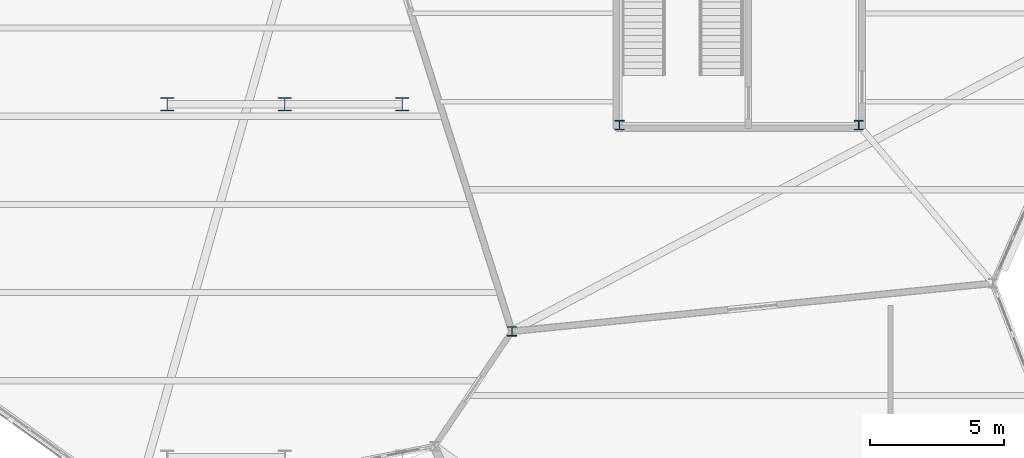
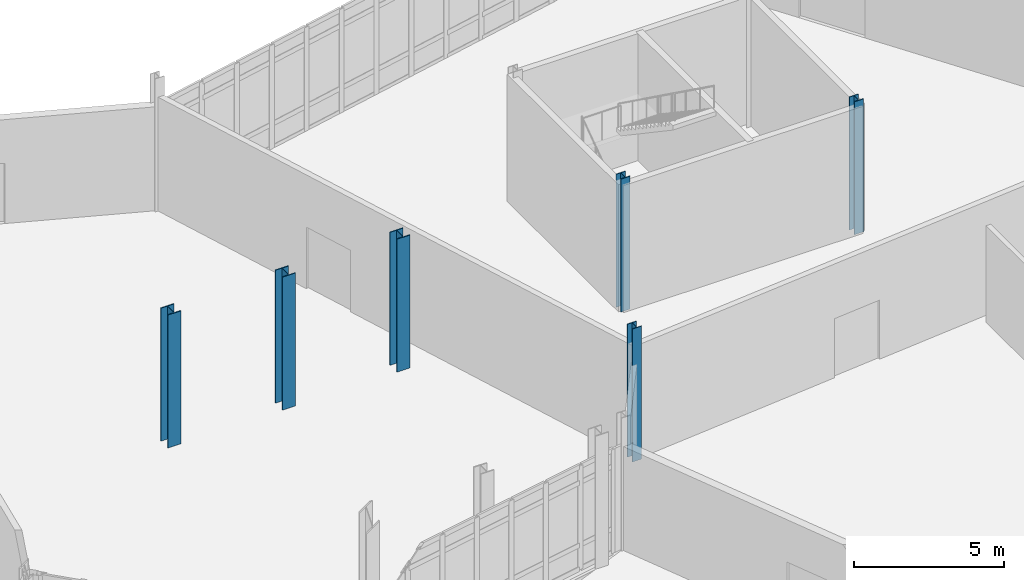
# One storey, part 18 of 113: 6 columns.
"""IFC4 building model written with IfcOpenShell, lengths in metres."""

from ifc_helpers import new_model, si_unit, direction, frame, origin, origin_2d, place, context, subcontext, project, spatial, i_section, extrude, material, material_profile, profile_set, type_object, element, save


model = new_model("IFC4")

# Units and contexts
model_context = context("Model", 3, precision=1e-05, world=origin(), true_north=direction((0.0, 1.0)))
body_context = subcontext(model_context, "Body", "Model", "MODEL_VIEW")
ifc_project = project(units=[si_unit("LENGTHUNIT", "METRE"), si_unit("AREAUNIT", "SQUARE_METRE"), si_unit("VOLUMEUNIT", "CUBIC_METRE"), si_unit("PLANEANGLEUNIT", "RADIAN"), si_unit("MASSUNIT", "GRAM", prefix="KILO")], contexts=[model_context])

# Site, building, storey
site_placement = place(None, origin())
site = spatial("IfcSite", under=ifc_project, at=site_placement, CompositionType="ELEMENT")
building_placement = place(site_placement, origin())
building = spatial("IfcBuilding", under=site, at=building_placement, Name="Tameran Prism Museum", CompositionType="ELEMENT")
storey_placement = place(building_placement, origin())
storey = spatial("IfcBuildingStorey", under=building, at=storey_placement, Name="L00", CompositionType="ELEMENT", Elevation=0.0)

# Columns
ifc_material_1 = material(Name="Steel Grade 350 (350 MPa)", Category="steel")
ifc_material_profile_1 = material_profile(ifc_material_1, i_section(OverallWidth=0.35009765625, OverallDepth=0.35009765625, WebThickness=0.02001953125, FlangeThickness=0.028076171875, at=origin_2d()))
ifc_profile_set_1 = profile_set([ifc_material_profile_1])
column_type_1 = type_object("IfcColumnType", Name="COL-WC350", PredefinedType="COLUMN", material=ifc_profile_set_1)
for number, where, z_axis, x_axis, name in (
    (1, (144.0, 22.199951171875, 0.0), (0.0, 0.0, 1.0), (1.0, 0.0, 0.0), "Column CV-61 L00"),
    (2, (148.02001953125, 29.919921875, 0.0), (0.0, 0.0, 1.0), (1.0, 0.0, 0.0), "Column CC-13-1 L00"),
    (3, (156.97998046875, 29.919921875, 0.0), (0.0, 0.0, 1.0), (1.0, 0.0, 0.0), "Column CC-13-2 L00"),
):
    element("IfcColumn", number, at=place(storey_placement, frame(where, z_axis=z_axis, x_axis=x_axis)), inside=storey, type_object=column_type_1, Name=name, PredefinedType="COLUMN", context=body_context, shape_type="SweptSolid", body=[
        extrude(i_section(OverallWidth=0.35009765625, OverallDepth=0.35009765625, WebThickness=0.02001953125, FlangeThickness=0.028076171875, at=origin_2d()), origin(), (0.0, 0.0, 1.0), 5.39990234375),
    ])
ifc_material_2 = material(Name="Steel Grade 350 (350 MPa)", Category="steel")
ifc_material_profile_2 = material_profile(ifc_material_2, i_section(OverallWidth=0.5, OverallDepth=0.5, WebThickness=0.02197265625, FlangeThickness=0.035888671875, at=origin_2d()))
ifc_profile_set_2 = profile_set([ifc_material_profile_2])
column_type_2 = type_object("IfcColumnType", Name="COL-WC500", PredefinedType="COLUMN", material=ifc_profile_set_2)
for number, where, z_axis, x_axis, name in (
    (4, (131.10009765625, 30.699951171875, 0.0), (0.0, 0.0, 1.0), (1.0, 0.0, 0.0), "Column CT-1A L00"),
    (5, (135.5, 30.699951171875, 0.0), (0.0, 0.0, 1.0), (1.0, 0.0, 0.0), "Column CT-2A L00"),
    (6, (139.89990234375, 30.699951171875, 0.0), (0.0, 0.0, 1.0), (1.0, 0.0, 0.0), "Column CT-3A L00"),
):
    element("IfcColumn", number, at=place(storey_placement, frame(where, z_axis=z_axis, x_axis=x_axis)), inside=storey, type_object=column_type_2, Name=name, PredefinedType="COLUMN", context=body_context, shape_type="SweptSolid", body=[
        extrude(i_section(OverallWidth=0.5, OverallDepth=0.5, WebThickness=0.02197265625, FlangeThickness=0.035888671875, at=origin_2d()), origin(), (0.0, 0.0, 1.0), 5.39990234375),
    ])

save(model, "model.ifc")
